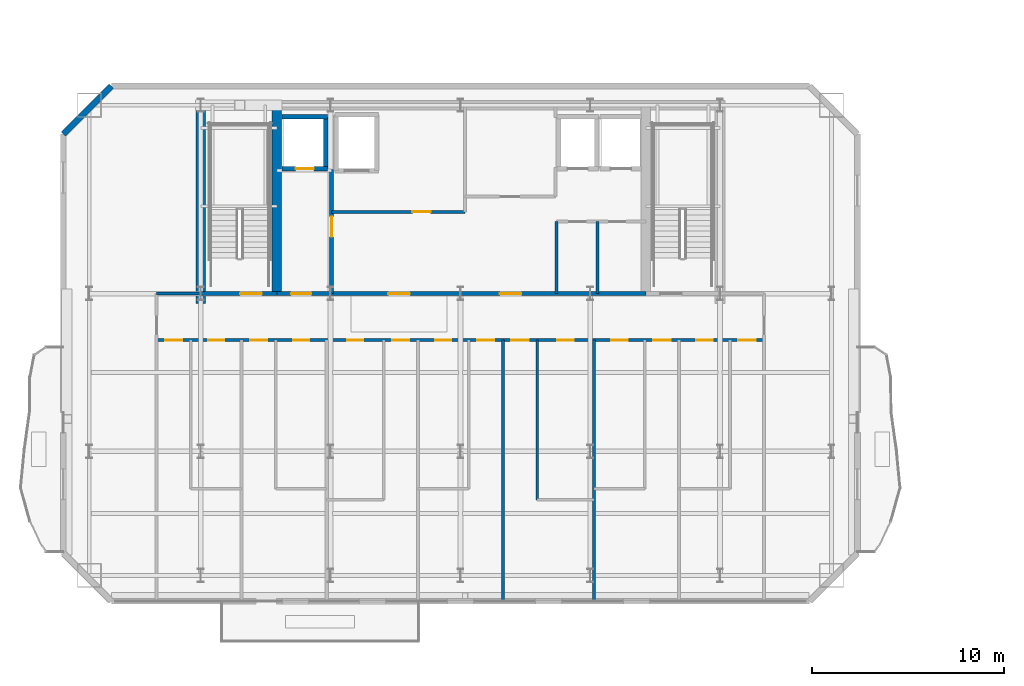
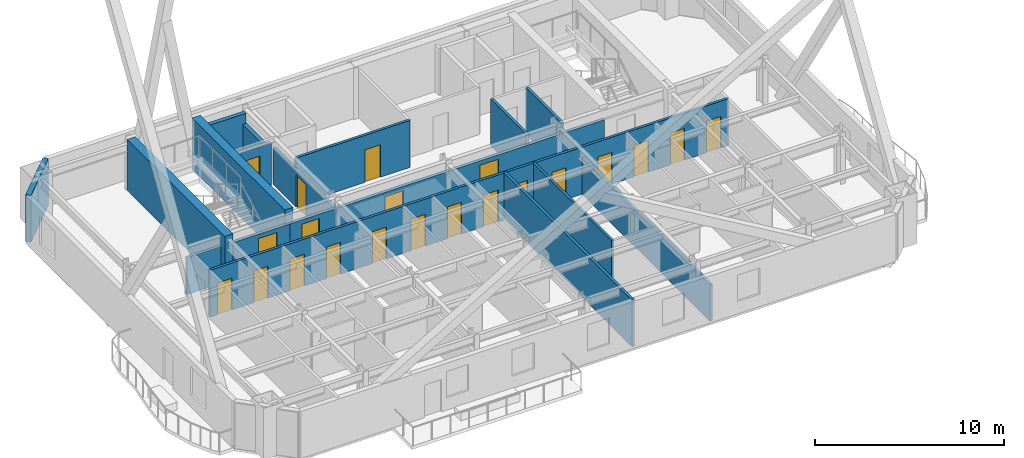
# One storey, part 11 of 20: 21 doors, 18 walls, 21 openings.
"""IFC4 building model written with IfcOpenShell, lengths in metres."""

import ifcopenshell
import ifcopenshell.guid

model = None  # the IFC model being written
_history = None  # IfcOwnerHistory: only IFC2X3 demands one
_inside = {}  # id of a spatial element -> (the spatial element, [elements in it])
_under = {}  # id of a project, library or spatial element -> (it, [spatial elements below it])
_declared = {}  # id of a project -> (the project, [libraries it declares])
_typed = {}  # id of a type object -> (the type object, [elements of that type])
_made_of = {}  # id of a material, layer set ... -> (it, [elements and type objects made of it])


def new_model(schema):
    """Start an empty IFC model of exactly this schema.

    Asked for "IFC4X3", IfcOpenShell would pick the latest addendum, in which some entities
    have other attributes; the version numbers below select the first issue.
    IFC2X3 requires an IfcOwnerHistory on every rooted entity: one is made here for all.
    """
    global model, _history
    if schema == "IFC4X3":
        model = ifcopenshell.file(schema_version=(4, 3, 0, 0))
    else:
        model = ifcopenshell.file(schema=schema)
    _inside.clear()
    _under.clear()
    _declared.clear()
    _typed.clear()
    _made_of.clear()
    _history = None
    if model.schema == "IFC2X3":
        org = make("IfcOrganization", Name="unknown")
        user = make(
            "IfcPersonAndOrganization",
            ThePerson=make("IfcPerson", FamilyName="unknown"),
            TheOrganization=org,
        )
        app = make(
            "IfcApplication",
            ApplicationDeveloper=org,
            Version="unknown",
            ApplicationFullName="unknown",
            ApplicationIdentifier="unknown",
        )
        _history = make(
            "IfcOwnerHistory",
            OwningUser=user,
            OwningApplication=app,
            ChangeAction="ADDED",
            CreationDate=0,
        )
    return model


def make(cls, **values):
    """One entity of the class cls with the attributes given. An attribute that is None is left unset."""
    return model.create_entity(
        cls, **{name: value for name, value in values.items() if value is not None}
    )


def rooted(cls, **values):
    """An entity with a GlobalId (a new one), such as an element, a storey or a relation."""
    return make(cls, GlobalId=ifcopenshell.guid.new(), OwnerHistory=_history, **values)


def si_unit(unit_type, name, prefix=None):
    """IfcSIUnit, for example si_unit("LENGTHUNIT", "METRE", prefix="MILLI")."""
    return make("IfcSIUnit", UnitType=unit_type, Prefix=prefix, Name=name)


def assignment(units):
    """IfcUnitAssignment: the units of a project."""
    return None if units is None else make("IfcUnitAssignment", Units=units)


def point(xyz):
    """IfcCartesianPoint."""
    return None if xyz is None else make("IfcCartesianPoint", Coordinates=xyz)


def direction(xyz):
    """IfcDirection."""
    return None if xyz is None else make("IfcDirection", DirectionRatios=xyz)


def frame(location, z_axis=None, x_axis=None):
    """IfcAxis2Placement3D, a coordinate frame: its origin and axes. An axis left out is left unset."""
    return make(
        "IfcAxis2Placement3D",
        Location=point(location),
        Axis=direction(z_axis),
        RefDirection=direction(x_axis),
    )


def frame_2d(location, x_axis=None):
    """IfcAxis2Placement2D, a coordinate frame in the plane: its origin and x axis."""
    return make(
        "IfcAxis2Placement2D", Location=point(location), RefDirection=direction(x_axis)
    )


def origin():
    """The frame at (0, 0, 0) with its axes left unset."""
    return frame((0.0, 0.0, 0.0))


def place(relative_to, where):
    """IfcLocalPlacement: puts the frame where relative to a parent placement (None: the world)."""
    return make(
        "IfcLocalPlacement", PlacementRelTo=relative_to, RelativePlacement=where
    )


def context(
    kind, dimensions, precision=None, world=None, true_north=None, identifier=None
):
    """IfcGeometricRepresentationContext, for example the 3D "Model" context."""
    return make(
        "IfcGeometricRepresentationContext",
        ContextIdentifier=identifier,
        ContextType=kind,
        CoordinateSpaceDimension=dimensions,
        Precision=precision,
        WorldCoordinateSystem=world,
        TrueNorth=true_north,
    )


def subcontext(parent, identifier, kind, view, scale=None):
    """IfcGeometricRepresentationSubContext, for example "Body" below "Model"."""
    return make(
        "IfcGeometricRepresentationSubContext",
        ContextIdentifier=identifier,
        ContextType=kind,
        ParentContext=parent,
        TargetScale=scale,
        TargetView=view,
    )


def project(units=None, contexts=None):
    """IfcProject with its units and contexts."""
    return rooted(
        "IfcProject",
        Name="project",
        RepresentationContexts=contexts,
        UnitsInContext=assignment(units),
    )


def spatial(cls, under=None, at=None, **own):
    """A site, building, storey or space (cls), placed at a placement, below another one or the project."""
    s = rooted(cls, ObjectPlacement=at, **own)
    if under is not None:
        _under.setdefault(under.id(), (under, []))[1].append(s)
    return s


def profile(cls, at=None, kind="AREA", **sizes):
    """A parametric profile (cls). Its sizes go by their IFC names, for example OverallWidth=200.0."""
    return make(cls, ProfileType=kind, Position=at, **sizes)


def rectangle(**sizes):
    """IfcRectangleProfileDef."""
    return profile("IfcRectangleProfileDef", **sizes)


def extrude(swept, where, along, depth):
    """IfcExtrudedAreaSolid: the profile swept, set in the frame where, extruded along a direction by depth."""
    return make(
        "IfcExtrudedAreaSolid",
        SweptArea=swept,
        Position=where,
        ExtrudedDirection=direction(along),
        Depth=depth,
    )


def shape(context_of_items, identifier, shape_type, items):
    """IfcShapeRepresentation: the items that make up one representation, for example the "Body"."""
    return make(
        "IfcShapeRepresentation",
        ContextOfItems=context_of_items,
        RepresentationIdentifier=identifier,
        RepresentationType=shape_type,
        Items=items,
    )


def material(Name=None, Category=None):
    """IfcMaterial."""
    return make("IfcMaterial", Name=Name, Category=Category)


def layer(
    of_material, thickness, ventilated=None, Name=None, Category=None, Priority=None
):
    """IfcMaterialLayer: one layer of a wall or slab, of a material (None: an air gap)."""
    return make(
        "IfcMaterialLayer",
        Material=of_material,
        LayerThickness=thickness,
        IsVentilated=ventilated,
        Name=Name,
        Category=Category,
        Priority=Priority,
    )


def layer_set(layers, Name=None):
    """IfcMaterialLayerSet."""
    return make("IfcMaterialLayerSet", MaterialLayers=layers, LayerSetName=Name)


def made_of(thing, what):
    """Note that an element or type object is made of a material, layer set ...; save() writes the relation."""
    if what is not None:
        _made_of.setdefault(what.id(), (what, []))[1].append(thing)
    return thing


def type_object(cls, material=None, **own):
    """A type object (cls), such as IfcWallType, which elements share."""
    return made_of(rooted(cls, **own), material)


def element(
    cls,
    number,
    at=None,
    inside=None,
    cuts=None,
    type_object=None,
    material=None,
    context=None,
    identifier="Body",
    shape_type=None,
    held_by="IfcProductDefinitionShape",
    body=None,
    shapes=None,
    **own,
):
    """One element of the class cls, such as IfcWall. Its Tag is "e" and its number.

    at: its placement. inside: the storey or other place that contains it. cuts: it is an
    opening in that element (IfcRelVoidsElement). A single representation is given by context,
    identifier, shape_type and body (its items); several are given by shapes. held_by: the class
    of the entity that holds the representations. save() writes the other relations.
    """
    e = rooted(cls, Tag="e%d" % number, ObjectPlacement=at, **own)
    if body is not None:
        shapes = [shape(context, identifier, shape_type, body)]
    if shapes is not None:
        e.Representation = make(held_by, Representations=shapes)
    if inside is not None:
        _inside.setdefault(inside.id(), (inside, []))[1].append(e)
    if cuts is not None:
        rooted(
            "IfcRelVoidsElement", RelatingBuildingElement=cuts, RelatedOpeningElement=e
        )
    if type_object is not None:
        _typed.setdefault(type_object.id(), (type_object, []))[1].append(e)
    return made_of(e, material)


def fill(opening, filler):
    """IfcRelFillsElement: the door or window that sits in an opening."""
    return rooted(
        "IfcRelFillsElement",
        RelatingOpeningElement=opening,
        RelatedBuildingElement=filler,
    )


def aggregate(whole, parts):
    """IfcRelAggregates: a whole, such as a stair, and the parts it consists of."""
    return rooted("IfcRelAggregates", RelatingObject=whole, RelatedObjects=parts)


def save(model, path):
    """Write the relations noted so far, then the file.

    IfcRelAggregates (storeys below a building ...), IfcRelContainedInSpatialStructure (elements
    in a storey), IfcRelDefinesByType, IfcRelAssociatesMaterial and IfcRelDeclares: one each for
    every whole, place, type object, material and project.
    """
    for whole, parts in _under.values():
        aggregate(whole, parts)
    for where, things in _inside.values():
        rooted(
            "IfcRelContainedInSpatialStructure",
            RelatedElements=things,
            RelatingStructure=where,
        )
    for kind, things in _typed.values():
        rooted("IfcRelDefinesByType", RelatedObjects=things, RelatingType=kind)
    for what, things in _made_of.values():
        rooted("IfcRelAssociatesMaterial", RelatedObjects=things, RelatingMaterial=what)
    for by, libraries in _declared.values():
        rooted("IfcRelDeclares", RelatingContext=by, RelatedDefinitions=libraries)
    model.write(path)


model = new_model("IFC4")

# Units and contexts
model_context = context("Model", 3, precision=1e-05, world=origin(), true_north=direction((0.0, 1.0)))
body_context = subcontext(model_context, "Body", "Model", "MODEL_VIEW")
ifc_project = project(units=[si_unit("LENGTHUNIT", "METRE"), si_unit("AREAUNIT", "SQUARE_METRE"), si_unit("VOLUMEUNIT", "CUBIC_METRE"), si_unit("PLANEANGLEUNIT", "RADIAN"), si_unit("MASSUNIT", "GRAM", prefix="KILO")], contexts=[model_context])

# Site, building, storey
site_placement = place(None, origin())
site = spatial("IfcSite", under=ifc_project, at=site_placement, CompositionType="ELEMENT")
building_placement = place(site_placement, origin())
building = spatial("IfcBuilding", under=site, at=building_placement, Name="Haevon Station Towers", CompositionType="ELEMENT")
storey_placement = place(building_placement, frame((0.0, 0.0, 175.800048828125)))
storey = spatial("IfcBuildingStorey", under=building, at=storey_placement, Name="L48", CompositionType="ELEMENT", Elevation=175.800048828125)

# Wall, opening, door
ifc_material_1 = material(Name="Gypsum board on steel stud", Category="steel")
ifc_layer_1 = layer(ifc_material_1, 0.199951171875)
ifc_layer_set_1 = layer_set([ifc_layer_1], Name="Gypsum board on steel stud")
wall_type_1 = type_object("IfcWallType", Name="WL-COR200", PredefinedType="PARTITIONING", material=ifc_layer_set_1)
wall_1_placement = place(storey_placement, frame((24.0, 38.199951171875, 0.0), z_axis=(0.0, 0.0, 1.0), x_axis=(1.0, 0.0, 0.0)))
wall_1 = element("IfcWall", 1, at=wall_1_placement, inside=storey, type_object=wall_type_1, Name="WL-ST-ST1-L48", PredefinedType="PARTITIONING", context=body_context, shape_type="SweptSolid", body=[
    extrude(rectangle(XDim=3.949951171875, YDim=0.199951171875, at=frame_2d((1.97509765625, 0.0))), origin(), (0.0, 0.0, 1.0), 2.3798828125),
])
opening_1_placement = place(wall_1_placement, frame((2.050048828125, 0.0, 0.0)))
opening_1 = element("IfcOpeningElement", 2, at=opening_1_placement, cuts=wall_1, Name="Opening DR-ST-ST1-L48", PredefinedType="OPENING", context=body_context, shape_type="SweptSolid", body=[
    extrude(rectangle(XDim=1.1201171875, YDim=2.10009765625, at=frame_2d((0.56005859375, 1.050048828125))), frame((0.0, 0.10986328125, 0.0), z_axis=(0.0, -1.0, 0.0), x_axis=(1.0, 0.0, 0.0)), (0.0, 0.0, 1.0), 0.219970703125),
])
ifc_material_2 = material(Name="Engineered oak timber", Category="wood")
door_type_1 = type_object("IfcDoorType", Name="DR-ST-1120", OperationType="NOTDEFINED", PredefinedType="DOOR", material=ifc_material_2)
door_1_placement = place(opening_1_placement, origin())
door_1 = element("IfcDoor", 3, at=door_1_placement, inside=storey, type_object=door_type_1, Name="L48 Escape Stair ST1 Fire Door", OperationType="SINGLE_SWING_LEFT", OverallHeight=2.10009765625, OverallWidth=1.1201171875, PredefinedType="DOOR", context=body_context, shape_type="SweptSolid", body=[
    extrude(rectangle(XDim=1.1201171875, YDim=2.10009765625, at=frame_2d((0.56005859375, 1.050048828125))), frame((0.0, 0.02490234375, 0.0), z_axis=(0.0, -1.0, 0.0), x_axis=(1.0, 0.0, 0.0)), (0.0, 0.0, 1.0), 0.050048828125),
])
fill(opening_1, door_1)

wall_2_placement = place(storey_placement, frame((30.800048828125, 38.199951171875, 0.0), z_axis=(0.0, 0.0, 1.0), x_axis=(0.0, 1.0, 0.0)))
wall_2 = element("IfcWall", 4, at=wall_2_placement, inside=storey, type_object=wall_type_1, Name="WL-T1FFL-L48-E", PredefinedType="PARTITIONING", context=body_context, shape_type="SweptSolid", body=[
    extrude(rectangle(XDim=6.449951171875, YDim=0.199951171875, at=frame_2d((3.22509765625, 0.0))), origin(), (0.0, 0.0, 1.0), 2.3798828125),
])
opening_2_placement = place(wall_2_placement, frame((2.9599609375, 0.0, 0.0)))
opening_2 = element("IfcOpeningElement", 5, at=opening_2_placement, cuts=wall_2, Name="Opening DR-T1FFL-L48-E", PredefinedType="OPENING", context=body_context, shape_type="SweptSolid", body=[
    extrude(rectangle(XDim=1.050048828125, YDim=2.10009765625, at=frame_2d((0.52490234375, 1.050048828125))), frame((0.0, 0.10986328125, 0.0), z_axis=(0.0, -1.0, 0.0), x_axis=(1.0, 0.0, 0.0)), (0.0, 0.0, 1.0), 0.219970703125),
])
door_type_2 = type_object("IfcDoorType", Name="DR-FD60-1050", OperationType="NOTDEFINED", PredefinedType="DOOR", material=ifc_material_2)
door_2_placement = place(opening_2_placement, origin())
door_2 = element("IfcDoor", 6, at=door_2_placement, inside=storey, type_object=door_type_2, Name="L48 Tower 1 Firefighting Lift Lobby Door E", OperationType="SINGLE_SWING_LEFT", OverallHeight=2.10009765625, OverallWidth=1.050048828125, PredefinedType="DOOR", context=body_context, shape_type="SweptSolid", body=[
    extrude(rectangle(XDim=1.050048828125, YDim=2.10009765625, at=frame_2d((0.52490234375, 1.050048828125))), frame((0.0, 0.02490234375, 0.0), z_axis=(0.0, -1.0, 0.0), x_axis=(1.0, 0.0, 0.0)), (0.0, 0.0, 1.0), 0.050048828125),
])
fill(opening_2, door_2)

wall_3_placement = place(storey_placement, frame((27.949951171875, 38.199951171875, 0.0), z_axis=(0.0, 0.0, 1.0), x_axis=(1.0, 0.0, 0.0)))
wall_3 = element("IfcWall", 7, at=wall_3_placement, inside=storey, type_object=wall_type_1, Name="WL-T1FFL-L48-S", PredefinedType="PARTITIONING", context=body_context, shape_type="SweptSolid", body=[
    extrude(rectangle(XDim=2.85009765625, YDim=0.199951171875, at=frame_2d((1.425048828125, 0.0))), origin(), (0.0, 0.0, 1.0), 2.3798828125),
])
opening_3_placement = place(wall_3_placement, frame((0.75, 0.0, 0.0)))
opening_3 = element("IfcOpeningElement", 8, at=opening_3_placement, cuts=wall_3, Name="Opening DR-T1FFL-L48-S", PredefinedType="OPENING", context=body_context, shape_type="SweptSolid", body=[
    extrude(rectangle(XDim=1.050048828125, YDim=2.10009765625, at=frame_2d((0.52490234375, 1.050048828125))), frame((0.0, 0.10986328125, 0.0), z_axis=(0.0, -1.0, 0.0), x_axis=(1.0, 0.0, 0.0)), (0.0, 0.0, 1.0), 0.219970703125),
])
door_3_placement = place(opening_3_placement, origin())
door_3 = element("IfcDoor", 9, at=door_3_placement, inside=storey, type_object=door_type_2, Name="L48 Tower 1 Firefighting Lift Lobby Door S", OperationType="SINGLE_SWING_RIGHT", OverallHeight=2.10009765625, OverallWidth=1.050048828125, PredefinedType="DOOR", context=body_context, shape_type="SweptSolid", body=[
    extrude(rectangle(XDim=1.050048828125, YDim=2.10009765625, at=frame_2d((0.52490234375, 1.050048828125))), frame((0.0, 0.02490234375, 0.0), z_axis=(0.0, -1.0, 0.0), x_axis=(1.0, 0.0, 0.0)), (0.0, 0.0, 1.0), 0.050048828125),
])
fill(opening_3, door_3)

# Wall, openings, doors
wall_4_placement = place(storey_placement, frame((30.800048828125, 38.199951171875, 0.0), z_axis=(0.0, 0.0, 1.0), x_axis=(1.0, 0.0, 0.0)))
wall_4 = element("IfcWall", 10, at=wall_4_placement, inside=storey, type_object=wall_type_1, Name="WL-T1CLB-L48", PredefinedType="PARTITIONING", context=body_context, shape_type="SweptSolid", body=[
    extrude(rectangle(XDim=16.349853515625, YDim=0.199951171875, at=frame_2d((8.1748046875, 0.0))), origin(), (0.0, 0.0, 1.0), 2.3798828125),
])
opening_4_placement = place(wall_4_placement, frame((2.949951171875, 0.0, 0.0)))
opening_4 = element("IfcOpeningElement", 11, at=opening_4_placement, cuts=wall_4, Name="Opening DR-T1CLB-L48-1", PredefinedType="OPENING", context=body_context, shape_type="SweptSolid", body=[
    extrude(rectangle(XDim=1.1201171875, YDim=2.10009765625, at=frame_2d((0.56005859375, 1.050048828125))), frame((0.0, 0.10986328125, 0.0), z_axis=(0.0, -1.0, 0.0), x_axis=(1.0, 0.0, 0.0)), (0.0, 0.0, 1.0), 0.219970703125),
])
opening_5_placement = place(wall_4_placement, frame((8.75, 0.0, 0.0)))
opening_5 = element("IfcOpeningElement", 12, at=opening_5_placement, cuts=wall_4, Name="Opening DR-T1CLB-L48-2", PredefinedType="OPENING", context=body_context, shape_type="SweptSolid", body=[
    extrude(rectangle(XDim=1.1201171875, YDim=2.10009765625, at=frame_2d((0.56005859375, 1.050048828125))), frame((0.0, 0.10986328125, 0.0), z_axis=(0.0, -1.0, 0.0), x_axis=(1.0, 0.0, 0.0)), (0.0, 0.0, 1.0), 0.219970703125),
])
door_4_placement = place(opening_4_placement, origin())
door_4 = element("IfcDoor", 13, at=door_4_placement, inside=storey, type_object=door_type_1, Name="L48 Tower 1 Core Lift Lobby Door 1", OperationType="SINGLE_SWING_LEFT", OverallHeight=2.10009765625, OverallWidth=1.1201171875, PredefinedType="DOOR", context=body_context, shape_type="SweptSolid", body=[
    extrude(rectangle(XDim=1.1201171875, YDim=2.10009765625, at=frame_2d((0.56005859375, 1.050048828125))), frame((0.0, 0.02490234375, 0.0), z_axis=(0.0, -1.0, 0.0), x_axis=(1.0, 0.0, 0.0)), (0.0, 0.0, 1.0), 0.050048828125),
])
fill(opening_4, door_4)
door_5_placement = place(opening_5_placement, origin())
door_5 = element("IfcDoor", 14, at=door_5_placement, inside=storey, type_object=door_type_1, Name="L48 Tower 1 Core Lift Lobby Door 2", OperationType="SINGLE_SWING_RIGHT", OverallHeight=2.10009765625, OverallWidth=1.1201171875, PredefinedType="DOOR", context=body_context, shape_type="SweptSolid", body=[
    extrude(rectangle(XDim=1.1201171875, YDim=2.10009765625, at=frame_2d((0.56005859375, 1.050048828125))), frame((0.0, 0.02490234375, 0.0), z_axis=(0.0, -1.0, 0.0), x_axis=(1.0, 0.0, 0.0)), (0.0, 0.0, 1.0), 0.050048828125),
])
fill(opening_5, door_5)

# Walls
ifc_material_3 = material(Name="Concrete C60/75", Category="concrete")
ifc_layer_2 = layer(ifc_material_3, 0.5)
ifc_layer_set_2 = layer_set([ifc_layer_2], Name="Concrete C60/75")
wall_type_2 = type_object("IfcWallType", Name="WL-CR500", PredefinedType="SHEAR", material=ifc_layer_set_2)
wall_5_placement = place(storey_placement, frame((24.0, 37.679931640625, 0.0), z_axis=(0.0, 0.0, 1.0), x_axis=(0.0, 1.0, 0.0)))
element("IfcWall", 15, at=wall_5_placement, inside=storey, type_object=wall_type_2, Name="WL-T1CR-L48-W", PredefinedType="SHEAR", context=body_context, shape_type="SweptSolid", body=[
    extrude(rectangle(XDim=10.320068359375, YDim=0.5, at=frame_2d((5.16015625, 0.0))), origin(), (0.0, 0.0, 1.0), 3.300048828125),
])
wall_6_placement = place(storey_placement, frame((27.949951171875, 38.199951171875, 0.0), z_axis=(0.0, 0.0, 1.0), x_axis=(0.0, 1.0, 0.0)))
element("IfcWall", 16, at=wall_6_placement, inside=storey, type_object=wall_type_2, Name="WL-T1CR-L48-M1", PredefinedType="SHEAR", context=body_context, shape_type="SweptSolid", body=[
    extrude(rectangle(XDim=9.800048828125, YDim=0.5, at=frame_2d((4.89990234375, 0.0))), origin(), (0.0, 0.0, 1.0), 3.300048828125),
])
ifc_material_4 = material(Name="Precast concrete C45/55", Category="concrete")
ifc_layer_3 = layer(ifc_material_4, 0.300048828125)
ifc_layer_set_3 = layer_set([ifc_layer_3], Name="Precast concrete C45/55")
wall_type_3 = type_object("IfcWallType", Name="WL-EXT-PIER300", PredefinedType="SOLIDWALL", material=ifc_layer_set_3)
wall_7_placement = place(storey_placement, frame((16.85009765625, 46.5, 0.0), z_axis=(0.0, 0.0, 1.0), x_axis=(0.707106781187, 0.707106781187, 0.0)))
element("IfcWall", 17, at=wall_7_placement, inside=storey, type_object=wall_type_3, Name="WL-T1-L48-NWC", PredefinedType="SOLIDWALL", context=body_context, shape_type="SweptSolid", body=[
    extrude(rectangle(XDim=3.53564453125, YDim=0.300048828125, at=frame_2d((1.767822265625, 0.0))), origin(), (0.0, 0.0, 1.0), 3.030029296875),
])
ifc_layer_4 = layer(ifc_material_1, 0.139892578125)
ifc_layer_set_4 = layer_set([ifc_layer_4], Name="Gypsum board on steel stud")
wall_type_4 = type_object("IfcWallType", Name="WL-PRT140", PredefinedType="PARTITIONING", material=ifc_layer_set_4)
wall_8_placement = place(storey_placement, frame((41.491943359375, 27.479248046875, 0.0), z_axis=(0.0, 0.0, 1.0), x_axis=(0.0, 1.0, 0.0)))
element("IfcWall", 18, at=wall_8_placement, inside=storey, type_object=wall_type_4, Name="WL-T1PT-L48-18", PredefinedType="PARTITIONING", context=body_context, shape_type="SweptSolid", body=[
    extrude(rectangle(XDim=8.30078125, YDim=0.139892578125, at=frame_2d((4.150390625, 0.0))), origin(), (0.0, 0.0, 1.0), 3.030029296875),
])

# Wall, opening, door
ifc_layer_5 = layer(ifc_material_1, 0.159912109375)
ifc_layer_set_5 = layer_set([ifc_layer_5], Name="Gypsum board on steel stud")
wall_type_5 = type_object("IfcWallType", Name="WL-PRT160", PredefinedType="PARTITIONING", material=ifc_layer_set_5)
wall_9_placement = place(storey_placement, frame((30.800048828125, 42.449951171875, 0.0), z_axis=(0.0, 0.0, 1.0), x_axis=(1.0, 0.0, 0.0)))
wall_9 = element("IfcWall", 19, at=wall_9_placement, inside=storey, type_object=wall_type_5, Name="WL-T1CW-L48-01", PredefinedType="PARTITIONING", context=body_context, shape_type="SweptSolid", body=[
    extrude(rectangle(XDim=6.949951171875, YDim=0.159912109375, at=frame_2d((3.47509765625, 0.0))), origin(), (0.0, 0.0, 1.0), 3.030029296875),
])
opening_6_placement = place(wall_9_placement, frame((4.199951171875, 0.0, 0.0)))
opening_6 = element("IfcOpeningElement", 20, at=opening_6_placement, cuts=wall_9, Name="Opening DR-WL-T1CW-L48-01-1", PredefinedType="OPENING", context=body_context, shape_type="SweptSolid", body=[
    extrude(rectangle(XDim=0.949951171875, YDim=2.10009765625, at=frame_2d((0.47509765625, 1.050048828125))), frame((0.0, 0.08984375, 0.0), z_axis=(0.0, -1.0, 0.0), x_axis=(1.0, 0.0, 0.0)), (0.0, 0.0, 1.0), 0.179931640625),
])
door_type_3 = type_object("IfcDoorType", Name="DR-FD60-950", OperationType="NOTDEFINED", PredefinedType="DOOR", material=ifc_material_2)
door_6_placement = place(opening_6_placement, origin())
door_6 = element("IfcDoor", 21, at=door_6_placement, inside=storey, type_object=door_type_3, Name="L48 Tower 1 Core Room Door 1-1", OperationType="SINGLE_SWING_LEFT", OverallHeight=2.10009765625, OverallWidth=0.949951171875, PredefinedType="DOOR", context=body_context, shape_type="SweptSolid", body=[
    extrude(rectangle(XDim=0.949951171875, YDim=2.10009765625, at=frame_2d((0.47509765625, 1.050048828125))), frame((0.0, 0.02490234375, 0.0), z_axis=(0.0, -1.0, 0.0), x_axis=(1.0, 0.0, 0.0)), (0.0, 0.0, 1.0), 0.050048828125),
])
fill(opening_6, door_6)

# Walls
for number, where, z_axis, x_axis, name in (
    (22, (42.5, 38.199951171875, 0.0), (0.0, 0.0, 1.0), (0.0, 1.0, 0.0), "WL-T1CW-L48-06"),
    (23, (44.6298828125, 38.199951171875, 0.0), (0.0, 0.0, 1.0), (0.0, 1.0, 0.0), "WL-T1CW-L48-07"),
):
    element("IfcWall", number, at=place(storey_placement, frame(where, z_axis=z_axis, x_axis=x_axis)), inside=storey, type_object=wall_type_5, Name=name, PredefinedType="PARTITIONING", context=body_context, shape_type="SweptSolid", body=[
        extrude(rectangle(XDim=3.75, YDim=0.159912109375, at=frame_2d((1.875, 0.0))), origin(), (0.0, 0.0, 1.0), 3.030029296875),
    ])
wall_10_placement = place(storey_placement, frame((21.699951171875, 38.199951171875, 0.0), z_axis=(0.0, 0.0, 1.0), x_axis=(1.0, 0.0, 0.0)))
element("IfcWall", 24, at=wall_10_placement, inside=storey, type_object=wall_type_5, Name="WL-T1PT-L48-01", PredefinedType="PARTITIONING", context=body_context, shape_type="SweptSolid", body=[
    extrude(rectangle(XDim=2.300048828125, YDim=0.159912109375, at=frame_2d((1.14990234375, 0.0))), origin(), (0.0, 0.0, 1.0), 2.3798828125),
])
wall_11_placement = place(storey_placement, frame((39.7119140625, 22.199951171875, 0.0), z_axis=(0.0, 0.0, 1.0), x_axis=(0.0, 1.0, 0.0)))
element("IfcWall", 25, at=wall_11_placement, inside=storey, type_object=wall_type_5, Name="WL-T1PT-L48-16", PredefinedType="PARTITIONING", context=body_context, shape_type="SweptSolid", body=[
    extrude(rectangle(XDim=13.580078125, YDim=0.159912109375, at=frame_2d((6.7900390625, 0.0))), origin(), (0.0, 0.0, 1.0), 3.030029296875),
])
wall_12_placement = place(storey_placement, frame((44.451904296875, 22.199951171875, 0.0), z_axis=(0.0, 0.0, 1.0), x_axis=(0.0, 1.0, 0.0)))
element("IfcWall", 26, at=wall_12_placement, inside=storey, type_object=wall_type_5, Name="WL-T1PT-L48-19", PredefinedType="PARTITIONING", context=body_context, shape_type="SweptSolid", body=[
    extrude(rectangle(XDim=13.580078125, YDim=0.159912109375, at=frame_2d((6.7900390625, 0.0))), origin(), (0.0, 0.0, 1.0), 2.3798828125),
])

# Wall, openings, doors
wall_13_placement = place(storey_placement, frame((21.699951171875, 35.780029296875, 0.0), z_axis=(0.0, 0.0, 1.0), x_axis=(1.0, 0.0, 0.0)))
wall_13 = element("IfcWall", 27, at=wall_13_placement, inside=storey, type_object=wall_type_5, Name="WL-T1PT-L48-25", PredefinedType="PARTITIONING", context=body_context, shape_type="SweptSolid", body=[
    extrude(rectangle(XDim=31.60009765625, YDim=0.159912109375, at=frame_2d((15.800048828125, 0.0))), origin(), (0.0, 0.0, 1.0), 3.030029296875),
])
opening_7_placement = place(wall_13_placement, frame((2.677001953125, 0.0, 0.0)))
opening_7 = element("IfcOpeningElement", 28, at=opening_7_placement, cuts=wall_13, Name="Opening DR-WL-T1PT-L48-25-01", PredefinedType="OPENING", context=body_context, shape_type="SweptSolid", body=[
    extrude(rectangle(XDim=0.85009765625, YDim=2.050048828125, at=frame_2d((0.425048828125, 1.02490234375))), frame((0.0, 0.08984375, 0.0), z_axis=(0.0, -1.0, 0.0), x_axis=(1.0, 0.0, 0.0)), (0.0, 0.0, 1.0), 0.179931640625),
])
opening_8_placement = place(wall_13_placement, frame((0.43994140625, 0.0, 0.0)))
opening_8 = element("IfcOpeningElement", 29, at=opening_8_placement, cuts=wall_13, Name="Opening DR-WL-T1PT-L48-25-02", PredefinedType="OPENING", context=body_context, shape_type="SweptSolid", body=[
    extrude(rectangle(XDim=0.89990234375, YDim=2.050048828125, at=frame_2d((0.449951171875, 1.02490234375))), frame((0.0, 0.08984375, 0.0), z_axis=(0.0, -1.0, 0.0), x_axis=(1.0, 0.0, 0.0)), (0.0, 0.0, 1.0), 0.179931640625),
])
opening_9_placement = place(wall_13_placement, frame((7.10107421875, 0.0, 0.0)))
opening_9 = element("IfcOpeningElement", 30, at=opening_9_placement, cuts=wall_13, Name="Opening DR-WL-T1PT-L48-25-03", PredefinedType="OPENING", context=body_context, shape_type="SweptSolid", body=[
    extrude(rectangle(XDim=0.85009765625, YDim=2.050048828125, at=frame_2d((0.425048828125, 1.02490234375))), frame((0.0, 0.08984375, 0.0), z_axis=(0.0, -1.0, 0.0), x_axis=(1.0, 0.0, 0.0)), (0.0, 0.0, 1.0), 0.179931640625),
])
opening_10_placement = place(wall_13_placement, frame((4.864013671875, 0.0, 0.0)))
opening_10 = element("IfcOpeningElement", 31, at=opening_10_placement, cuts=wall_13, Name="Opening DR-WL-T1PT-L48-25-04", PredefinedType="OPENING", context=body_context, shape_type="SweptSolid", body=[
    extrude(rectangle(XDim=0.89990234375, YDim=2.050048828125, at=frame_2d((0.449951171875, 1.02490234375))), frame((0.0, 0.08984375, 0.0), z_axis=(0.0, -1.0, 0.0), x_axis=(1.0, 0.0, 0.0)), (0.0, 0.0, 1.0), 0.179931640625),
])
opening_11_placement = place(wall_13_placement, frame((9.903076171875, 0.0, 0.0)))
opening_11 = element("IfcOpeningElement", 32, at=opening_11_placement, cuts=wall_13, Name="Opening DR-WL-T1PT-L48-25-05", PredefinedType="OPENING", context=body_context, shape_type="SweptSolid", body=[
    extrude(rectangle(XDim=0.85009765625, YDim=2.050048828125, at=frame_2d((0.425048828125, 1.02490234375))), frame((0.0, 0.08984375, 0.0), z_axis=(0.0, -1.0, 0.0), x_axis=(1.0, 0.0, 0.0)), (0.0, 0.0, 1.0), 0.179931640625),
])
opening_12_placement = place(wall_13_placement, frame((12.248046875, 0.0, 0.0)))
opening_12 = element("IfcOpeningElement", 33, at=opening_12_placement, cuts=wall_13, Name="Opening DR-WL-T1PT-L48-25-06", PredefinedType="OPENING", context=body_context, shape_type="SweptSolid", body=[
    extrude(rectangle(XDim=0.89990234375, YDim=2.050048828125, at=frame_2d((0.449951171875, 1.02490234375))), frame((0.0, 0.08984375, 0.0), z_axis=(0.0, -1.0, 0.0), x_axis=(1.0, 0.0, 0.0)), (0.0, 0.0, 1.0), 0.179931640625),
])
opening_13_placement = place(wall_13_placement, frame((14.485107421875, 0.0, 0.0)))
opening_13 = element("IfcOpeningElement", 34, at=opening_13_placement, cuts=wall_13, Name="Opening DR-WL-T1PT-L48-25-07", PredefinedType="OPENING", context=body_context, shape_type="SweptSolid", body=[
    extrude(rectangle(XDim=0.85009765625, YDim=2.050048828125, at=frame_2d((0.425048828125, 1.02490234375))), frame((0.0, 0.08984375, 0.0), z_axis=(0.0, -1.0, 0.0), x_axis=(1.0, 0.0, 0.0)), (0.0, 0.0, 1.0), 0.179931640625),
])
opening_14_placement = place(wall_13_placement, frame((16.672119140625, 0.0, 0.0)))
opening_14 = element("IfcOpeningElement", 35, at=opening_14_placement, cuts=wall_13, Name="Opening DR-WL-T1PT-L48-25-08", PredefinedType="OPENING", context=body_context, shape_type="SweptSolid", body=[
    extrude(rectangle(XDim=0.89990234375, YDim=2.050048828125, at=frame_2d((0.449951171875, 1.02490234375))), frame((0.0, 0.08984375, 0.0), z_axis=(0.0, -1.0, 0.0), x_axis=(1.0, 0.0, 0.0)), (0.0, 0.0, 1.0), 0.179931640625),
])
opening_15_placement = place(wall_13_placement, frame((20.846923828125, 0.0, 0.0)))
opening_15 = element("IfcOpeningElement", 36, at=opening_15_placement, cuts=wall_13, Name="Opening DR-WL-T1PT-L48-25-09", PredefinedType="OPENING", context=body_context, shape_type="SweptSolid", body=[
    extrude(rectangle(XDim=0.85009765625, YDim=2.050048828125, at=frame_2d((0.425048828125, 1.02490234375))), frame((0.0, 0.08984375, 0.0), z_axis=(0.0, -1.0, 0.0), x_axis=(1.0, 0.0, 0.0)), (0.0, 0.0, 1.0), 0.179931640625),
])
opening_16_placement = place(wall_13_placement, frame((18.451904296875, 0.0, 0.0)))
opening_16 = element("IfcOpeningElement", 37, at=opening_16_placement, cuts=wall_13, Name="Opening DR-WL-T1PT-L48-25-10", PredefinedType="OPENING", context=body_context, shape_type="SweptSolid", body=[
    extrude(rectangle(XDim=0.89990234375, YDim=2.050048828125, at=frame_2d((0.449951171875, 1.02490234375))), frame((0.0, 0.08984375, 0.0), z_axis=(0.0, -1.0, 0.0), x_axis=(1.0, 0.0, 0.0)), (0.0, 0.0, 1.0), 0.179931640625),
])
opening_17_placement = place(wall_13_placement, frame((23.64892578125, 0.0, 0.0)))
opening_17 = element("IfcOpeningElement", 38, at=opening_17_placement, cuts=wall_13, Name="Opening DR-WL-T1PT-L48-25-11", PredefinedType="OPENING", context=body_context, shape_type="SweptSolid", body=[
    extrude(rectangle(XDim=0.85009765625, YDim=2.050048828125, at=frame_2d((0.425048828125, 1.02490234375))), frame((0.0, 0.08984375, 0.0), z_axis=(0.0, -1.0, 0.0), x_axis=(1.0, 0.0, 0.0)), (0.0, 0.0, 1.0), 0.179931640625),
])
opening_18_placement = place(wall_13_placement, frame((25.8359375, 0.0, 0.0)))
opening_18 = element("IfcOpeningElement", 39, at=opening_18_placement, cuts=wall_13, Name="Opening DR-WL-T1PT-L48-25-12", PredefinedType="OPENING", context=body_context, shape_type="SweptSolid", body=[
    extrude(rectangle(XDim=0.89990234375, YDim=2.050048828125, at=frame_2d((0.449951171875, 1.02490234375))), frame((0.0, 0.08984375, 0.0), z_axis=(0.0, -1.0, 0.0), x_axis=(1.0, 0.0, 0.0)), (0.0, 0.0, 1.0), 0.179931640625),
])
opening_19_placement = place(wall_13_placement, frame((28.072998046875, 0.0, 0.0)))
opening_19 = element("IfcOpeningElement", 40, at=opening_19_placement, cuts=wall_13, Name="Opening DR-WL-T1PT-L48-25-13", PredefinedType="OPENING", context=body_context, shape_type="SweptSolid", body=[
    extrude(rectangle(XDim=0.85009765625, YDim=2.050048828125, at=frame_2d((0.425048828125, 1.02490234375))), frame((0.0, 0.08984375, 0.0), z_axis=(0.0, -1.0, 0.0), x_axis=(1.0, 0.0, 0.0)), (0.0, 0.0, 1.0), 0.179931640625),
])
opening_20_placement = place(wall_13_placement, frame((30.260009765625, 0.0, 0.0)))
opening_20 = element("IfcOpeningElement", 41, at=opening_20_placement, cuts=wall_13, Name="Opening DR-WL-T1PT-L48-25-14", PredefinedType="OPENING", context=body_context, shape_type="SweptSolid", body=[
    extrude(rectangle(XDim=0.89990234375, YDim=2.050048828125, at=frame_2d((0.449951171875, 1.02490234375))), frame((0.0, 0.08984375, 0.0), z_axis=(0.0, -1.0, 0.0), x_axis=(1.0, 0.0, 0.0)), (0.0, 0.0, 1.0), 0.179931640625),
])
door_type_4 = type_object("IfcDoorType", Name="DR-FD30-850", OperationType="NOTDEFINED", PredefinedType="DOOR", material=ifc_material_2)
door_7_placement = place(opening_7_placement, origin())
door_7 = element("IfcDoor", 42, at=door_7_placement, inside=storey, type_object=door_type_4, Name="L48 Tower 1 Room Door 25-1", OperationType="SINGLE_SWING_LEFT", OverallHeight=2.050048828125, OverallWidth=0.85009765625, PredefinedType="DOOR", context=body_context, shape_type="SweptSolid", body=[
    extrude(rectangle(XDim=0.85009765625, YDim=2.050048828125, at=frame_2d((0.425048828125, 1.02490234375))), frame((0.0, 0.02490234375, 0.0), z_axis=(0.0, -1.0, 0.0), x_axis=(1.0, 0.0, 0.0)), (0.0, 0.0, 1.0), 0.050048828125),
])
fill(opening_7, door_7)
door_8_placement = place(opening_9_placement, origin())
door_8 = element("IfcDoor", 43, at=door_8_placement, inside=storey, type_object=door_type_4, Name="L48 Tower 1 Room Door 25-3", OperationType="SINGLE_SWING_LEFT", OverallHeight=2.050048828125, OverallWidth=0.85009765625, PredefinedType="DOOR", context=body_context, shape_type="SweptSolid", body=[
    extrude(rectangle(XDim=0.85009765625, YDim=2.050048828125, at=frame_2d((0.425048828125, 1.02490234375))), frame((0.0, 0.02490234375, 0.0), z_axis=(0.0, -1.0, 0.0), x_axis=(1.0, 0.0, 0.0)), (0.0, 0.0, 1.0), 0.050048828125),
])
fill(opening_9, door_8)
door_9_placement = place(opening_11_placement, origin())
door_9 = element("IfcDoor", 44, at=door_9_placement, inside=storey, type_object=door_type_4, Name="L48 Tower 1 Room Door 25-5", OperationType="SINGLE_SWING_LEFT", OverallHeight=2.050048828125, OverallWidth=0.85009765625, PredefinedType="DOOR", context=body_context, shape_type="SweptSolid", body=[
    extrude(rectangle(XDim=0.85009765625, YDim=2.050048828125, at=frame_2d((0.425048828125, 1.02490234375))), frame((0.0, 0.02490234375, 0.0), z_axis=(0.0, -1.0, 0.0), x_axis=(1.0, 0.0, 0.0)), (0.0, 0.0, 1.0), 0.050048828125),
])
fill(opening_11, door_9)
door_10_placement = place(opening_13_placement, origin())
door_10 = element("IfcDoor", 45, at=door_10_placement, inside=storey, type_object=door_type_4, Name="L48 Tower 1 Room Door 25-7", OperationType="SINGLE_SWING_LEFT", OverallHeight=2.050048828125, OverallWidth=0.85009765625, PredefinedType="DOOR", context=body_context, shape_type="SweptSolid", body=[
    extrude(rectangle(XDim=0.85009765625, YDim=2.050048828125, at=frame_2d((0.425048828125, 1.02490234375))), frame((0.0, 0.02490234375, 0.0), z_axis=(0.0, -1.0, 0.0), x_axis=(1.0, 0.0, 0.0)), (0.0, 0.0, 1.0), 0.050048828125),
])
fill(opening_13, door_10)
door_11_placement = place(opening_15_placement, origin())
door_11 = element("IfcDoor", 46, at=door_11_placement, inside=storey, type_object=door_type_4, Name="L48 Tower 1 Room Door 25-9", OperationType="SINGLE_SWING_LEFT", OverallHeight=2.050048828125, OverallWidth=0.85009765625, PredefinedType="DOOR", context=body_context, shape_type="SweptSolid", body=[
    extrude(rectangle(XDim=0.85009765625, YDim=2.050048828125, at=frame_2d((0.425048828125, 1.02490234375))), frame((0.0, 0.02490234375, 0.0), z_axis=(0.0, -1.0, 0.0), x_axis=(1.0, 0.0, 0.0)), (0.0, 0.0, 1.0), 0.050048828125),
])
fill(opening_15, door_11)
door_12_placement = place(opening_17_placement, origin())
door_12 = element("IfcDoor", 47, at=door_12_placement, inside=storey, type_object=door_type_4, Name="L48 Tower 1 Room Door 25-11", OperationType="SINGLE_SWING_LEFT", OverallHeight=2.050048828125, OverallWidth=0.85009765625, PredefinedType="DOOR", context=body_context, shape_type="SweptSolid", body=[
    extrude(rectangle(XDim=0.85009765625, YDim=2.050048828125, at=frame_2d((0.425048828125, 1.02490234375))), frame((0.0, 0.02490234375, 0.0), z_axis=(0.0, -1.0, 0.0), x_axis=(1.0, 0.0, 0.0)), (0.0, 0.0, 1.0), 0.050048828125),
])
fill(opening_17, door_12)
door_13_placement = place(opening_19_placement, origin())
door_13 = element("IfcDoor", 48, at=door_13_placement, inside=storey, type_object=door_type_4, Name="L48 Tower 1 Room Door 25-13", OperationType="SINGLE_SWING_LEFT", OverallHeight=2.050048828125, OverallWidth=0.85009765625, PredefinedType="DOOR", context=body_context, shape_type="SweptSolid", body=[
    extrude(rectangle(XDim=0.85009765625, YDim=2.050048828125, at=frame_2d((0.425048828125, 1.02490234375))), frame((0.0, 0.02490234375, 0.0), z_axis=(0.0, -1.0, 0.0), x_axis=(1.0, 0.0, 0.0)), (0.0, 0.0, 1.0), 0.050048828125),
])
fill(opening_19, door_13)
door_type_5 = type_object("IfcDoorType", Name="DR-INT-900", OperationType="NOTDEFINED", PredefinedType="DOOR", material=ifc_material_2)
door_14_placement = place(opening_8_placement, origin())
door_14 = element("IfcDoor", 49, at=door_14_placement, inside=storey, type_object=door_type_5, Name="L48 Tower 1 Room Door 25-2", OperationType="SINGLE_SWING_RIGHT", OverallHeight=2.050048828125, OverallWidth=0.89990234375, PredefinedType="DOOR", context=body_context, shape_type="SweptSolid", body=[
    extrude(rectangle(XDim=0.89990234375, YDim=2.050048828125, at=frame_2d((0.449951171875, 1.02490234375))), frame((0.0, 0.02490234375, 0.0), z_axis=(0.0, -1.0, 0.0), x_axis=(1.0, 0.0, 0.0)), (0.0, 0.0, 1.0), 0.050048828125),
])
fill(opening_8, door_14)
door_15_placement = place(opening_10_placement, origin())
door_15 = element("IfcDoor", 50, at=door_15_placement, inside=storey, type_object=door_type_5, Name="L48 Tower 1 Room Door 25-4", OperationType="SINGLE_SWING_RIGHT", OverallHeight=2.050048828125, OverallWidth=0.89990234375, PredefinedType="DOOR", context=body_context, shape_type="SweptSolid", body=[
    extrude(rectangle(XDim=0.89990234375, YDim=2.050048828125, at=frame_2d((0.449951171875, 1.02490234375))), frame((0.0, 0.02490234375, 0.0), z_axis=(0.0, -1.0, 0.0), x_axis=(1.0, 0.0, 0.0)), (0.0, 0.0, 1.0), 0.050048828125),
])
fill(opening_10, door_15)
door_16_placement = place(opening_12_placement, origin())
door_16 = element("IfcDoor", 51, at=door_16_placement, inside=storey, type_object=door_type_5, Name="L48 Tower 1 Room Door 25-6", OperationType="SINGLE_SWING_RIGHT", OverallHeight=2.050048828125, OverallWidth=0.89990234375, PredefinedType="DOOR", context=body_context, shape_type="SweptSolid", body=[
    extrude(rectangle(XDim=0.89990234375, YDim=2.050048828125, at=frame_2d((0.449951171875, 1.02490234375))), frame((0.0, 0.02490234375, 0.0), z_axis=(0.0, -1.0, 0.0), x_axis=(1.0, 0.0, 0.0)), (0.0, 0.0, 1.0), 0.050048828125),
])
fill(opening_12, door_16)
door_17_placement = place(opening_14_placement, origin())
door_17 = element("IfcDoor", 52, at=door_17_placement, inside=storey, type_object=door_type_5, Name="L48 Tower 1 Room Door 25-8", OperationType="SINGLE_SWING_RIGHT", OverallHeight=2.050048828125, OverallWidth=0.89990234375, PredefinedType="DOOR", context=body_context, shape_type="SweptSolid", body=[
    extrude(rectangle(XDim=0.89990234375, YDim=2.050048828125, at=frame_2d((0.449951171875, 1.02490234375))), frame((0.0, 0.02490234375, 0.0), z_axis=(0.0, -1.0, 0.0), x_axis=(1.0, 0.0, 0.0)), (0.0, 0.0, 1.0), 0.050048828125),
])
fill(opening_14, door_17)
door_18_placement = place(opening_16_placement, origin())
door_18 = element("IfcDoor", 53, at=door_18_placement, inside=storey, type_object=door_type_5, Name="L48 Tower 1 Room Door 25-10", OperationType="SINGLE_SWING_RIGHT", OverallHeight=2.050048828125, OverallWidth=0.89990234375, PredefinedType="DOOR", context=body_context, shape_type="SweptSolid", body=[
    extrude(rectangle(XDim=0.89990234375, YDim=2.050048828125, at=frame_2d((0.449951171875, 1.02490234375))), frame((0.0, 0.02490234375, 0.0), z_axis=(0.0, -1.0, 0.0), x_axis=(1.0, 0.0, 0.0)), (0.0, 0.0, 1.0), 0.050048828125),
])
fill(opening_16, door_18)
door_19_placement = place(opening_18_placement, origin())
door_19 = element("IfcDoor", 54, at=door_19_placement, inside=storey, type_object=door_type_5, Name="L48 Tower 1 Room Door 25-12", OperationType="SINGLE_SWING_RIGHT", OverallHeight=2.050048828125, OverallWidth=0.89990234375, PredefinedType="DOOR", context=body_context, shape_type="SweptSolid", body=[
    extrude(rectangle(XDim=0.89990234375, YDim=2.050048828125, at=frame_2d((0.449951171875, 1.02490234375))), frame((0.0, 0.02490234375, 0.0), z_axis=(0.0, -1.0, 0.0), x_axis=(1.0, 0.0, 0.0)), (0.0, 0.0, 1.0), 0.050048828125),
])
fill(opening_18, door_19)
door_20_placement = place(opening_20_placement, origin())
door_20 = element("IfcDoor", 55, at=door_20_placement, inside=storey, type_object=door_type_5, Name="L48 Tower 1 Room Door 25-14", OperationType="SINGLE_SWING_RIGHT", OverallHeight=2.050048828125, OverallWidth=0.89990234375, PredefinedType="DOOR", context=body_context, shape_type="SweptSolid", body=[
    extrude(rectangle(XDim=0.89990234375, YDim=2.050048828125, at=frame_2d((0.449951171875, 1.02490234375))), frame((0.0, 0.02490234375, 0.0), z_axis=(0.0, -1.0, 0.0), x_axis=(1.0, 0.0, 0.0)), (0.0, 0.0, 1.0), 0.050048828125),
])
fill(opening_20, door_20)

# Wall, opening, door
ifc_material_5 = material(Name="Concrete C40/50", Category="concrete")
ifc_layer_6 = layer(ifc_material_5, 0.239990234375)
ifc_layer_set_6 = layer_set([ifc_layer_6], Name="Concrete C40/50")
wall_type_6 = type_object("IfcWallType", Name="WL-SHF240", PredefinedType="PARTITIONING", material=ifc_layer_set_6)
wall_14_placement = place(storey_placement, frame((28.219970703125, 44.699951171875, 0.0), z_axis=(0.0, 0.0, 1.0), x_axis=(1.0, 0.0, 0.0)))
wall_14 = element("IfcWall", 56, at=wall_14_placement, inside=storey, type_object=wall_type_6, Name="WL-SHF-FL1-L48", PredefinedType="PARTITIONING", context=body_context, shape_type="SweptSolid", body=[
    extrude(rectangle(XDim=2.360107421875, YDim=0.239990234375, at=frame_2d((1.18017578125, 0.0))), origin(), (0.0, 0.0, 1.0), 2.72998046875),
])
opening_21_placement = place(wall_14_placement, frame((0.705078125, 0.0, 0.0)))
opening_21 = element("IfcOpeningElement", 57, at=opening_21_placement, cuts=wall_14, Name="Opening LD-FL1-L48", PredefinedType="OPENING", context=body_context, shape_type="SweptSolid", body=[
    extrude(rectangle(XDim=0.949951171875, YDim=2.14990234375, at=frame_2d((0.47509765625, 1.074951171875))), frame((0.0, 0.1298828125, 0.0), z_axis=(0.0, -1.0, 0.0), x_axis=(1.0, 0.0, 0.0)), (0.0, 0.0, 1.0), 0.260009765625),
])
ifc_material_6 = material(Name="Stainless steel and rated core", Category="steel")
door_type_6 = type_object("IfcDoorType", Name="LD-FL950", OperationType="SLIDING_TO_LEFT", PredefinedType="DOOR", material=ifc_material_6)
door_21_placement = place(opening_21_placement, origin())
door_21 = element("IfcDoor", 58, at=door_21_placement, inside=storey, type_object=door_type_6, Name="L48 Lift FL1 Sliding Landing Door", OperationType="SLIDING_TO_LEFT", OverallHeight=2.14990234375, OverallWidth=0.949951171875, PredefinedType="DOOR", context=body_context, shape_type="SweptSolid", body=[
    extrude(rectangle(XDim=0.949951171875, YDim=2.14990234375, at=frame_2d((0.47509765625, 1.074951171875))), frame((0.0, 0.02490234375, 0.0), z_axis=(0.0, -1.0, 0.0), x_axis=(1.0, 0.0, 0.0)), (0.0, 0.0, 1.0), 0.050048828125),
])
fill(opening_21, door_21)

# Walls
wall_15_placement = place(storey_placement, frame((28.219970703125, 47.39990234375, 0.0), z_axis=(0.0, 0.0, 1.0), x_axis=(1.0, 0.0, 0.0)))
element("IfcWall", 59, at=wall_15_placement, inside=storey, type_object=wall_type_6, Name="WL-SHF-FL1-L48-N", PredefinedType="PARTITIONING", context=body_context, shape_type="SweptSolid", body=[
    extrude(rectangle(XDim=2.360107421875, YDim=0.239990234375, at=frame_2d((1.18017578125, 0.0))), origin(), (0.0, 0.0, 1.0), 3.030029296875),
])
wall_16_placement = place(storey_placement, frame((30.5, 44.699951171875, 0.0), z_axis=(0.0, 0.0, 1.0), x_axis=(0.0, 1.0, 0.0)))
element("IfcWall", 60, at=wall_16_placement, inside=storey, type_object=wall_type_6, Name="WL-SHF-FL1-L48-E", PredefinedType="PARTITIONING", context=body_context, shape_type="SweptSolid", body=[
    extrude(rectangle(XDim=2.699951171875, YDim=0.239990234375, at=frame_2d((1.35009765625, 0.0))), origin(), (0.0, 0.0, 1.0), 2.3798828125),
])

save(model, "model.ifc")
